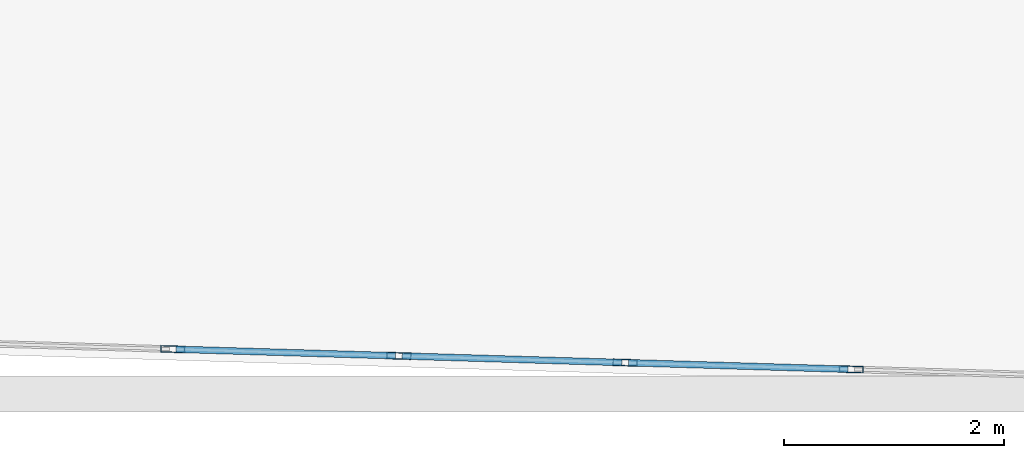
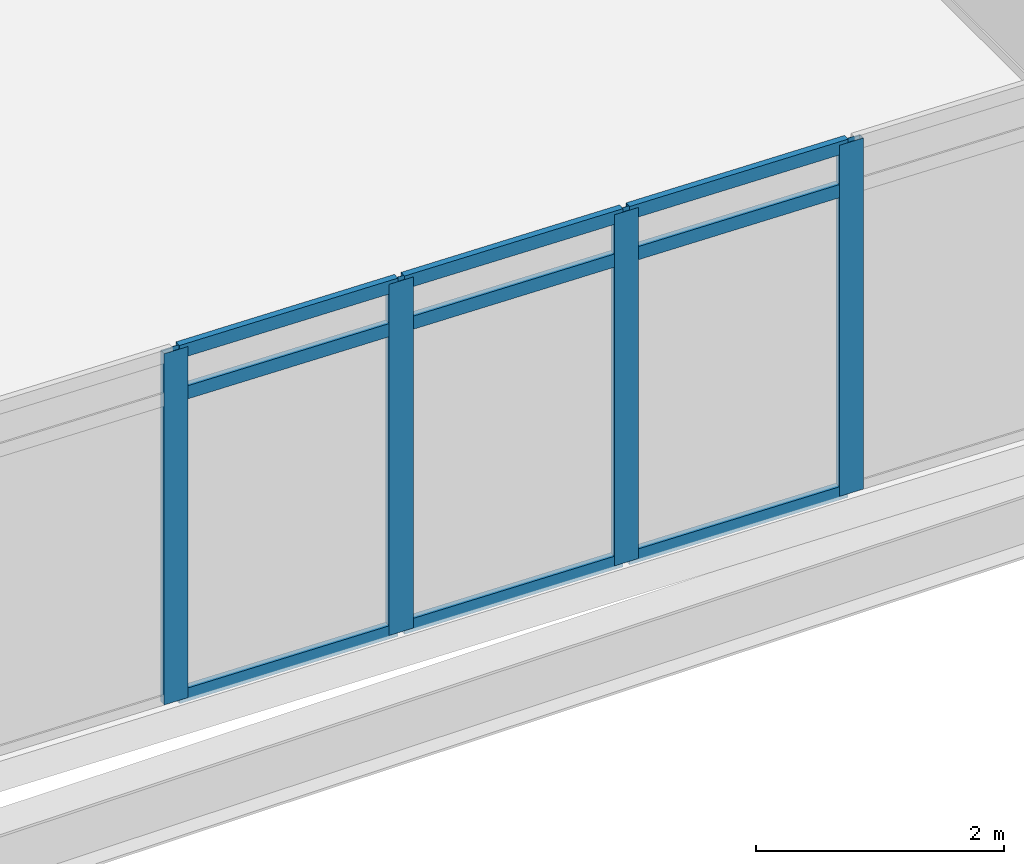
# One storey, part 7 of 38: 13 members, 1 element without a shape of its own.
"""IFC4 building model written with IfcOpenShell, lengths in metres."""

from ifc_helpers import new_model, si_unit, direction, frame, origin, origin_2d, place, context, subcontext, project, spatial, hollow_rectangle, extrude, material, material_profile, profile_set, type_object, element, aggregate, save


model = new_model("IFC4")

# Units and contexts
model_context = context("Model", 3, precision=1e-05, world=origin(), true_north=direction((0.0, 1.0)))
body_context = subcontext(model_context, "Body", "Model", "MODEL_VIEW")
ifc_project = project(units=[si_unit("LENGTHUNIT", "METRE"), si_unit("AREAUNIT", "SQUARE_METRE"), si_unit("VOLUMEUNIT", "CUBIC_METRE"), si_unit("PLANEANGLEUNIT", "RADIAN"), si_unit("MASSUNIT", "GRAM", prefix="KILO")], contexts=[model_context])

# Site, building, storey
site_placement = place(None, origin())
site = spatial("IfcSite", under=ifc_project, at=site_placement, CompositionType="ELEMENT")
building_placement = place(site_placement, origin())
building = spatial("IfcBuilding", under=site, at=building_placement, Name="Ostrander Bayou Hotel Tower", CompositionType="ELEMENT")
storey_placement = place(building_placement, frame((0.0, 0.0, 96.75)))
storey = spatial("IfcBuildingStorey", under=building, at=storey_placement, Name="L24", CompositionType="ELEMENT", Elevation=96.75)

# Curtain wall, members
ifc_material_1 = material(Name="Aluminium and clear glass", Category="aluminium")
curtain_wall_type = type_object("IfcCurtainWallType", Name="CW-BAR glazed wall", PredefinedType="NOTDEFINED", material=ifc_material_1)
curtain_wall_placement = place(storey_placement, origin())
curtain_wall = element("IfcCurtainWall", 1, at=curtain_wall_placement, inside=storey, type_object=curtain_wall_type, Name="CW-BAR L24:SB2S:T", PredefinedType="NOTDEFINED")
ifc_material_2 = material(Name="Aluminium", Category="aluminium")
ifc_material_profile_1 = material_profile(ifc_material_2, hollow_rectangle(XDim=0.06005859375, YDim=0.219970703125, WallThickness=0.00390625, at=origin_2d()))
ifc_profile_set_1 = profile_set([ifc_material_profile_1], Name="Aluminium")
member_type_1 = type_object("IfcMemberType", Name="CW-BR mullion 60 x 220 mm", PredefinedType="MULLION", material=ifc_profile_set_1)
member_1_placement = place(storey_placement, frame((3.084716796875, -31.791748046875, 0.0), z_axis=(0.0, 0.0, 1.0), x_axis=(0.029746242041, 0.999557482631, 0.0)))
member_1 = element("IfcMember", 2, at=member_1_placement, type_object=member_type_1, Name="CW-BAR mullion 9", PredefinedType="MULLION", context=body_context, shape_type="SweptSolid", body=[
    extrude(hollow_rectangle(XDim=0.06005859375, YDim=0.219970703125, WallThickness=0.00390625, at=origin_2d()), origin(), (0.0, 0.0, 1.0), 3.449951171875),
])
member_2_placement = place(storey_placement, frame((5.14111328125, -31.85302734375, 0.0), z_axis=(0.0, 0.0, 1.0), x_axis=(0.029746242041, 0.999557482631, 0.0)))
member_2 = element("IfcMember", 3, at=member_2_placement, type_object=member_type_1, Name="CW-BAR mullion 10", PredefinedType="MULLION", context=body_context, shape_type="SweptSolid", body=[
    extrude(hollow_rectangle(XDim=0.06005859375, YDim=0.219970703125, WallThickness=0.00390625, at=origin_2d()), origin(), (0.0, 0.0, 1.0), 3.449951171875),
])
member_3_placement = place(storey_placement, frame((7.19775390625, -31.914306640625, 0.0), z_axis=(0.0, 0.0, 1.0), x_axis=(0.029746242041, 0.999557482631, 0.0)))
member_3 = element("IfcMember", 4, at=member_3_placement, type_object=member_type_1, Name="CW-BAR mullion 11", PredefinedType="MULLION", context=body_context, shape_type="SweptSolid", body=[
    extrude(hollow_rectangle(XDim=0.06005859375, YDim=0.219970703125, WallThickness=0.00390625, at=origin_2d()), origin(), (0.0, 0.0, 1.0), 3.449951171875),
])
member_4_placement = place(storey_placement, frame((9.254150390625, -31.975341796875, 0.0), z_axis=(0.0, 0.0, 1.0), x_axis=(0.029746242041, 0.999557482631, 0.0)))
member_4 = element("IfcMember", 5, at=member_4_placement, type_object=member_type_1, Name="CW-BAR mullion 12", PredefinedType="MULLION", context=body_context, shape_type="SweptSolid", body=[
    extrude(hollow_rectangle(XDim=0.06005859375, YDim=0.219970703125, WallThickness=0.00390625, at=origin_2d()), origin(), (0.0, 0.0, 1.0), 3.449951171875),
])
ifc_material_3 = material(Name="Aluminium", Category="aluminium")
ifc_material_profile_2 = material_profile(ifc_material_3, hollow_rectangle(XDim=0.06005859375, YDim=0.1298828125, WallThickness=0.00390625, at=origin_2d()))
ifc_profile_set_2 = profile_set([ifc_material_profile_2], Name="Aluminium")
member_type_2 = type_object("IfcMemberType", Name="CW-BR transom 60 x 130 mm", PredefinedType="USERDEFINED", material=ifc_profile_set_2)
member_5_placement = place(storey_placement, frame((3.11474609375, -31.792724609375, 0.030029296875), z_axis=(0.999558835181, -0.029700757758, 0.0), x_axis=(0.029700757758, 0.999558835181, 0.0)))
member_5 = element("IfcMember", 6, at=member_5_placement, type_object=member_type_2, Name="CW-BAR transom 9.1", ObjectType="TRANSOM", PredefinedType="USERDEFINED", context=body_context, shape_type="SweptSolid", body=[
    extrude(hollow_rectangle(XDim=0.06005859375, YDim=0.1298828125, WallThickness=0.00390625, at=origin_2d()), origin(), (0.0, 0.0, 1.0), 1.99755859375),
])
member_6_placement = place(storey_placement, frame((3.11474609375, -31.792724609375, 3.0), z_axis=(0.999558835181, -0.029700757758, 0.0), x_axis=(0.029700757758, 0.999558835181, 0.0)))
member_6 = element("IfcMember", 7, at=member_6_placement, type_object=member_type_2, Name="CW-BAR transom 9.2", ObjectType="TRANSOM", PredefinedType="USERDEFINED", context=body_context, shape_type="SweptSolid", body=[
    extrude(hollow_rectangle(XDim=0.06005859375, YDim=0.1298828125, WallThickness=0.00390625, at=origin_2d()), origin(), (0.0, 0.0, 1.0), 1.99755859375),
])
member_7_placement = place(storey_placement, frame((3.11474609375, -31.792724609375, 3.419921875), z_axis=(0.999558835181, -0.029700757758, 0.0), x_axis=(0.029700757758, 0.999558835181, 0.0)))
member_7 = element("IfcMember", 8, at=member_7_placement, type_object=member_type_2, Name="CW-BAR transom 9.3", ObjectType="TRANSOM", PredefinedType="USERDEFINED", context=body_context, shape_type="SweptSolid", body=[
    extrude(hollow_rectangle(XDim=0.06005859375, YDim=0.1298828125, WallThickness=0.00390625, at=origin_2d()), origin(), (0.0, 0.0, 1.0), 1.99755859375),
])
member_8_placement = place(storey_placement, frame((5.171142578125, -31.85400390625, 0.030029296875), z_axis=(0.999558835181, -0.029700757758, 0.0), x_axis=(0.029700757758, 0.999558835181, 0.0)))
member_8 = element("IfcMember", 9, at=member_8_placement, type_object=member_type_2, Name="CW-BAR transom 10.1", ObjectType="TRANSOM", PredefinedType="USERDEFINED", context=body_context, shape_type="SweptSolid", body=[
    extrude(hollow_rectangle(XDim=0.06005859375, YDim=0.1298828125, WallThickness=0.00390625, at=origin_2d()), origin(), (0.0, 0.0, 1.0), 1.99755859375),
])
member_9_placement = place(storey_placement, frame((5.171142578125, -31.85400390625, 3.0), z_axis=(0.999558835181, -0.029700757758, 0.0), x_axis=(0.029700757758, 0.999558835181, 0.0)))
member_9 = element("IfcMember", 10, at=member_9_placement, type_object=member_type_2, Name="CW-BAR transom 10.2", ObjectType="TRANSOM", PredefinedType="USERDEFINED", context=body_context, shape_type="SweptSolid", body=[
    extrude(hollow_rectangle(XDim=0.06005859375, YDim=0.1298828125, WallThickness=0.00390625, at=origin_2d()), origin(), (0.0, 0.0, 1.0), 1.99755859375),
])
member_10_placement = place(storey_placement, frame((5.171142578125, -31.85400390625, 3.419921875), z_axis=(0.999558835181, -0.029700757758, 0.0), x_axis=(0.029700757758, 0.999558835181, 0.0)))
member_10 = element("IfcMember", 11, at=member_10_placement, type_object=member_type_2, Name="CW-BAR transom 10.3", ObjectType="TRANSOM", PredefinedType="USERDEFINED", context=body_context, shape_type="SweptSolid", body=[
    extrude(hollow_rectangle(XDim=0.06005859375, YDim=0.1298828125, WallThickness=0.00390625, at=origin_2d()), origin(), (0.0, 0.0, 1.0), 1.99755859375),
])
member_11_placement = place(storey_placement, frame((7.227783203125, -31.9150390625, 0.030029296875), z_axis=(0.999555090424, -0.029826518535, 0.0), x_axis=(0.029826518535, 0.999555090424, 0.0)))
member_11 = element("IfcMember", 12, at=member_11_placement, type_object=member_type_2, Name="CW-BAR transom 11.1", ObjectType="TRANSOM", PredefinedType="USERDEFINED", context=body_context, shape_type="SweptSolid", body=[
    extrude(hollow_rectangle(XDim=0.06005859375, YDim=0.1298828125, WallThickness=0.00390625, at=origin_2d()), origin(), (0.0, 0.0, 1.0), 1.997314453125),
])
member_12_placement = place(storey_placement, frame((7.227783203125, -31.9150390625, 3.0), z_axis=(0.999555090424, -0.029826518535, 0.0), x_axis=(0.029826518535, 0.999555090424, 0.0)))
member_12 = element("IfcMember", 13, at=member_12_placement, type_object=member_type_2, Name="CW-BAR transom 11.2", ObjectType="TRANSOM", PredefinedType="USERDEFINED", context=body_context, shape_type="SweptSolid", body=[
    extrude(hollow_rectangle(XDim=0.06005859375, YDim=0.1298828125, WallThickness=0.00390625, at=origin_2d()), origin(), (0.0, 0.0, 1.0), 1.997314453125),
])
member_13_placement = place(storey_placement, frame((7.227783203125, -31.9150390625, 3.419921875), z_axis=(0.999555090424, -0.029826518535, 0.0), x_axis=(0.029826518535, 0.999555090424, 0.0)))
member_13 = element("IfcMember", 14, at=member_13_placement, type_object=member_type_2, Name="CW-BAR transom 11.3", ObjectType="TRANSOM", PredefinedType="USERDEFINED", context=body_context, shape_type="SweptSolid", body=[
    extrude(hollow_rectangle(XDim=0.06005859375, YDim=0.1298828125, WallThickness=0.00390625, at=origin_2d()), origin(), (0.0, 0.0, 1.0), 1.997314453125),
])
aggregate(curtain_wall, [member_1, member_2, member_3, member_4, member_5, member_6, member_7, member_8, member_9, member_10, member_11, member_12, member_13])

save(model, "model.ifc")
